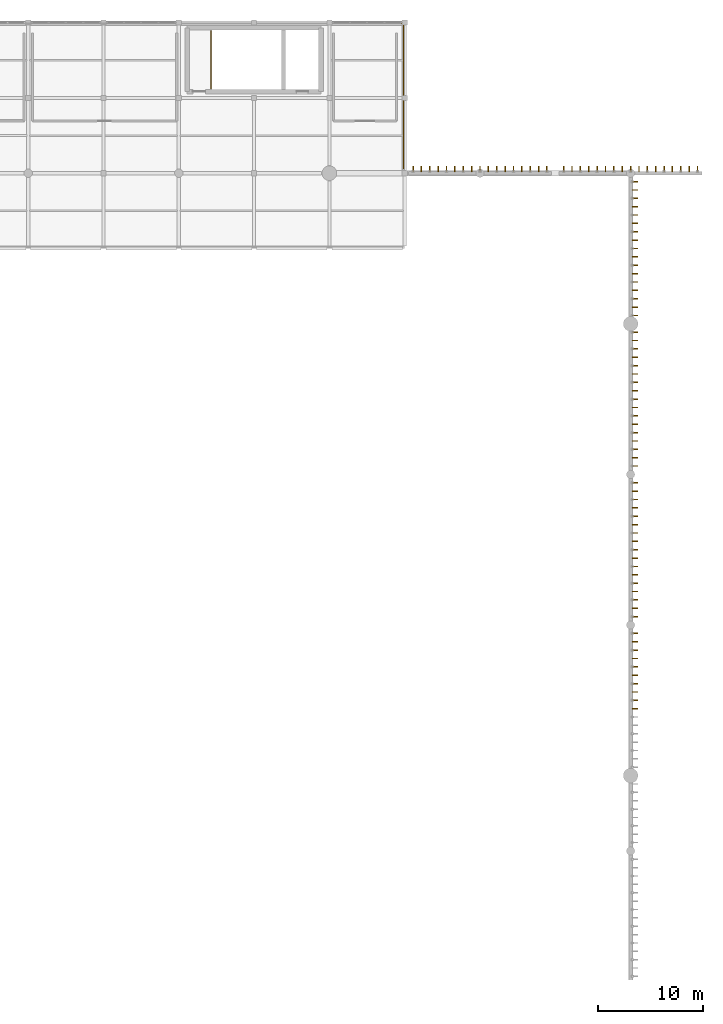
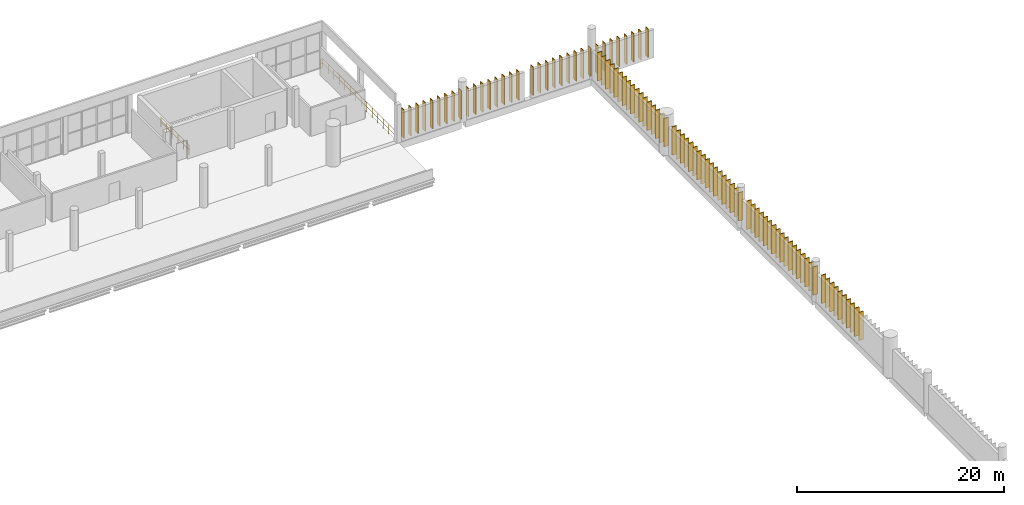
# One storey, part 63 of 64: 95 coverings, 50 shading devices, 2 railings.
"""IFC4 building model written with IfcOpenShell, lengths in metres."""

from ifc_helpers import new_model, si_unit, direction, frame, origin, origin_2d, place, context, subcontext, project, spatial, rectangle, circle, extrude, material, layer, layer_set, type_object, element, save


model = new_model("IFC4")

# Units and contexts
model_context = context("Model", 3, precision=1e-05, world=origin(), true_north=direction((0.0, 1.0)))
body_context = subcontext(model_context, "Body", "Model", "MODEL_VIEW")
ifc_project = project(units=[si_unit("LENGTHUNIT", "METRE"), si_unit("AREAUNIT", "SQUARE_METRE"), si_unit("VOLUMEUNIT", "CUBIC_METRE"), si_unit("PLANEANGLEUNIT", "RADIAN"), si_unit("MASSUNIT", "GRAM", prefix="KILO")], contexts=[model_context])

# Site, building, storey
site_placement = place(None, origin())
site = spatial("IfcSite", under=ifc_project, at=site_placement, CompositionType="ELEMENT")
building_placement = place(site_placement, origin())
building = spatial("IfcBuilding", under=site, at=building_placement, Name="Qandorah Velis Arena", CompositionType="ELEMENT")
storey_placement = place(building_placement, frame((0.0, 0.0, 23.0)))
storey = spatial("IfcBuildingStorey", under=building, at=storey_placement, Name="L05", CompositionType="ELEMENT", Elevation=23.0)

# Coverings
ifc_material_1 = material(Name="Champagne-bronze anodized aluminium 6063-T6", Category="aluminium")
ifc_layer = layer(ifc_material_1, 0.0849609375)
ifc_layer_set = layer_set([ifc_layer], Name="Champagne-bronze anodized aluminium 6063-T6")
covering_type = type_object("IfcCoveringType", Name="ARC-COV-FIN520", PredefinedType="CLADDING", material=ifc_layer_set)
for number, where, z_axis, x_axis, name in (
    (1, (115.60205078125, 64.0, 0.0), (0.0, 0.0, 1.0), (1.0, 0.0, 0.0), "Vertical champagne-bronze solar fin blade DRM-2-05-L05-008"),
    (2, (115.60205078125, 64.800048828125, 0.0), (0.0, 0.0, 1.0), (1.0, 0.0, 0.0), "Vertical champagne-bronze solar fin blade DRM-2-05-L05-009"),
    (3, (115.60205078125, 65.60009765625, 0.0), (0.0, 0.0, 1.0), (1.0, 0.0, 0.0), "Vertical champagne-bronze solar fin blade DRM-2-05-L05-010"),
    (4, (115.60205078125, 66.39990234375, 0.0), (0.0, 0.0, 1.0), (1.0, 0.0, 0.0), "Vertical champagne-bronze solar fin blade DRM-2-05-L05-011"),
    (5, (115.60205078125, 67.199951171875, 0.0), (0.0, 0.0, 1.0), (1.0, 0.0, 0.0), "Vertical champagne-bronze solar fin blade DRM-2-05-L05-012"),
    (6, (115.60205078125, 68.0, 0.0), (0.0, 0.0, 1.0), (1.0, 0.0, 0.0), "Vertical champagne-bronze solar fin blade DRM-2-05-L05-013"),
    (7, (115.60205078125, 68.800048828125, 0.0), (0.0, 0.0, 1.0), (1.0, 0.0, 0.0), "Vertical champagne-bronze solar fin blade DRM-2-05-L05-014"),
    (8, (115.60205078125, 69.60009765625, 0.0), (0.0, 0.0, 1.0), (1.0, 0.0, 0.0), "Vertical champagne-bronze solar fin blade DRM-2-05-L05-015"),
    (9, (115.60205078125, 70.39990234375, 0.0), (0.0, 0.0, 1.0), (1.0, 0.0, 0.0), "Vertical champagne-bronze solar fin blade DRM-2-05-L05-016"),
    (10, (115.60205078125, 71.199951171875, 0.0), (0.0, 0.0, 1.0), (1.0, 0.0, 0.0), "Vertical champagne-bronze solar fin blade DRM-2-05-L05-017"),
    (11, (115.60205078125, 72.800048828125, 0.0), (0.0, 0.0, 1.0), (1.0, 0.0, 0.0), "Vertical champagne-bronze solar fin blade DRM-2-06-L05-001"),
    (12, (115.60205078125, 73.60009765625, 0.0), (0.0, 0.0, 1.0), (1.0, 0.0, 0.0), "Vertical champagne-bronze solar fin blade DRM-2-06-L05-002"),
    (13, (115.60205078125, 74.39990234375, 0.0), (0.0, 0.0, 1.0), (1.0, 0.0, 0.0), "Vertical champagne-bronze solar fin blade DRM-2-06-L05-003"),
    (14, (115.60205078125, 75.199951171875, 0.0), (0.0, 0.0, 1.0), (1.0, 0.0, 0.0), "Vertical champagne-bronze solar fin blade DRM-2-06-L05-004"),
    (15, (115.60205078125, 76.0, 0.0), (0.0, 0.0, 1.0), (1.0, 0.0, 0.0), "Vertical champagne-bronze solar fin blade DRM-2-06-L05-005"),
    (16, (115.60205078125, 76.800048828125, 0.0), (0.0, 0.0, 1.0), (1.0, 0.0, 0.0), "Vertical champagne-bronze solar fin blade DRM-2-06-L05-006"),
    (17, (115.60205078125, 77.60009765625, 0.0), (0.0, 0.0, 1.0), (1.0, 0.0, 0.0), "Vertical champagne-bronze solar fin blade DRM-2-06-L05-007"),
    (18, (115.60205078125, 78.39990234375, 0.0), (0.0, 0.0, 1.0), (1.0, 0.0, 0.0), "Vertical champagne-bronze solar fin blade DRM-2-06-L05-008"),
    (19, (115.60205078125, 79.199951171875, 0.0), (0.0, 0.0, 1.0), (1.0, 0.0, 0.0), "Vertical champagne-bronze solar fin blade DRM-2-06-L05-009"),
    (20, (115.60205078125, 80.0, 0.0), (0.0, 0.0, 1.0), (1.0, 0.0, 0.0), "Vertical champagne-bronze solar fin blade DRM-2-06-L05-010"),
    (21, (115.60205078125, 80.800048828125, 0.0), (0.0, 0.0, 1.0), (1.0, 0.0, 0.0), "Vertical champagne-bronze solar fin blade DRM-2-06-L05-011"),
    (22, (115.60205078125, 81.60009765625, 0.0), (0.0, 0.0, 1.0), (1.0, 0.0, 0.0), "Vertical champagne-bronze solar fin blade DRM-2-06-L05-012"),
    (23, (115.60205078125, 82.39990234375, 0.0), (0.0, 0.0, 1.0), (1.0, 0.0, 0.0), "Vertical champagne-bronze solar fin blade DRM-2-06-L05-013"),
    (24, (115.60205078125, 83.199951171875, 0.0), (0.0, 0.0, 1.0), (1.0, 0.0, 0.0), "Vertical champagne-bronze solar fin blade DRM-2-06-L05-014"),
    (25, (115.60205078125, 84.0, 0.0), (0.0, 0.0, 1.0), (1.0, 0.0, 0.0), "Vertical champagne-bronze solar fin blade DRM-2-06-L05-015"),
    (26, (115.60205078125, 84.800048828125, 0.0), (0.0, 0.0, 1.0), (1.0, 0.0, 0.0), "Vertical champagne-bronze solar fin blade DRM-2-06-L05-016"),
    (27, (115.60205078125, 85.60009765625, 0.0), (0.0, 0.0, 1.0), (1.0, 0.0, 0.0), "Vertical champagne-bronze solar fin blade DRM-2-06-L05-017"),
    (28, (115.60205078125, 87.199951171875, 0.0), (0.0, 0.0, 1.0), (1.0, 0.0, 0.0), "Vertical champagne-bronze solar fin blade DRM-2-07-L05-001"),
    (29, (115.60205078125, 88.0, 0.0), (0.0, 0.0, 1.0), (1.0, 0.0, 0.0), "Vertical champagne-bronze solar fin blade DRM-2-07-L05-002"),
    (30, (115.60205078125, 88.800048828125, 0.0), (0.0, 0.0, 1.0), (1.0, 0.0, 0.0), "Vertical champagne-bronze solar fin blade DRM-2-07-L05-003"),
    (31, (115.60205078125, 89.60009765625, 0.0), (0.0, 0.0, 1.0), (1.0, 0.0, 0.0), "Vertical champagne-bronze solar fin blade DRM-2-07-L05-004"),
    (32, (115.60205078125, 90.39990234375, 0.0), (0.0, 0.0, 1.0), (1.0, 0.0, 0.0), "Vertical champagne-bronze solar fin blade DRM-2-07-L05-005"),
    (33, (115.60205078125, 91.199951171875, 0.0), (0.0, 0.0, 1.0), (1.0, 0.0, 0.0), "Vertical champagne-bronze solar fin blade DRM-2-07-L05-006"),
    (34, (115.60205078125, 92.0, 0.0), (0.0, 0.0, 1.0), (1.0, 0.0, 0.0), "Vertical champagne-bronze solar fin blade DRM-2-07-L05-007"),
    (35, (115.60205078125, 92.800048828125, 0.0), (0.0, 0.0, 1.0), (1.0, 0.0, 0.0), "Vertical champagne-bronze solar fin blade DRM-2-07-L05-008"),
    (36, (115.60205078125, 93.60009765625, 0.0), (0.0, 0.0, 1.0), (1.0, 0.0, 0.0), "Vertical champagne-bronze solar fin blade DRM-2-07-L05-009"),
    (37, (115.60205078125, 94.39990234375, 0.0), (0.0, 0.0, 1.0), (1.0, 0.0, 0.0), "Vertical champagne-bronze solar fin blade DRM-2-07-L05-010"),
    (38, (115.60205078125, 95.199951171875, 0.0), (0.0, 0.0, 1.0), (1.0, 0.0, 0.0), "Vertical champagne-bronze solar fin blade DRM-2-07-L05-011"),
    (39, (115.60205078125, 96.0, 0.0), (0.0, 0.0, 1.0), (1.0, 0.0, 0.0), "Vertical champagne-bronze solar fin blade DRM-2-07-L05-012"),
    (40, (115.60205078125, 96.800048828125, 0.0), (0.0, 0.0, 1.0), (1.0, 0.0, 0.0), "Vertical champagne-bronze solar fin blade DRM-2-07-L05-013"),
    (41, (115.60205078125, 97.60009765625, 0.0), (0.0, 0.0, 1.0), (1.0, 0.0, 0.0), "Vertical champagne-bronze solar fin blade DRM-2-07-L05-014"),
    (42, (115.60205078125, 98.39990234375, 0.0), (0.0, 0.0, 1.0), (1.0, 0.0, 0.0), "Vertical champagne-bronze solar fin blade DRM-2-07-L05-015"),
    (43, (115.60205078125, 99.199951171875, 0.0), (0.0, 0.0, 1.0), (1.0, 0.0, 0.0), "Vertical champagne-bronze solar fin blade DRM-2-07-L05-016"),
    (44, (115.60205078125, 100.0, 0.0), (0.0, 0.0, 1.0), (1.0, 0.0, 0.0), "Vertical champagne-bronze solar fin blade DRM-2-07-L05-017"),
    (45, (115.60205078125, 101.60009765625, 0.0), (0.0, 0.0, 1.0), (1.0, 0.0, 0.0), "Vertical champagne-bronze solar fin blade DRM-2-08-L05-001"),
    (46, (115.60205078125, 102.39990234375, 0.0), (0.0, 0.0, 1.0), (1.0, 0.0, 0.0), "Vertical champagne-bronze solar fin blade DRM-2-08-L05-002"),
    (47, (115.60205078125, 103.199951171875, 0.0), (0.0, 0.0, 1.0), (1.0, 0.0, 0.0), "Vertical champagne-bronze solar fin blade DRM-2-08-L05-003"),
    (48, (115.60205078125, 104.0, 0.0), (0.0, 0.0, 1.0), (1.0, 0.0, 0.0), "Vertical champagne-bronze solar fin blade DRM-2-08-L05-004"),
    (49, (115.60205078125, 104.800048828125, 0.0), (0.0, 0.0, 1.0), (1.0, 0.0, 0.0), "Vertical champagne-bronze solar fin blade DRM-2-08-L05-005"),
    (50, (115.60205078125, 105.60009765625, 0.0), (0.0, 0.0, 1.0), (1.0, 0.0, 0.0), "Vertical champagne-bronze solar fin blade DRM-2-08-L05-006"),
    (51, (115.60205078125, 106.39990234375, 0.0), (0.0, 0.0, 1.0), (1.0, 0.0, 0.0), "Vertical champagne-bronze solar fin blade DRM-2-08-L05-007"),
    (52, (115.60205078125, 107.199951171875, 0.0), (0.0, 0.0, 1.0), (1.0, 0.0, 0.0), "Vertical champagne-bronze solar fin blade DRM-2-08-L05-008"),
    (53, (115.60205078125, 108.0, 0.0), (0.0, 0.0, 1.0), (1.0, 0.0, 0.0), "Vertical champagne-bronze solar fin blade DRM-2-08-L05-009"),
    (54, (115.60205078125, 108.800048828125, 0.0), (0.0, 0.0, 1.0), (1.0, 0.0, 0.0), "Vertical champagne-bronze solar fin blade DRM-2-08-L05-010"),
    (55, (115.60205078125, 109.60009765625, 0.0), (0.0, 0.0, 1.0), (1.0, 0.0, 0.0), "Vertical champagne-bronze solar fin blade DRM-2-08-L05-011"),
    (56, (115.60205078125, 110.39990234375, 0.0), (0.0, 0.0, 1.0), (1.0, 0.0, 0.0), "Vertical champagne-bronze solar fin blade DRM-2-08-L05-012"),
    (57, (115.60205078125, 111.199951171875, 0.0), (0.0, 0.0, 1.0), (1.0, 0.0, 0.0), "Vertical champagne-bronze solar fin blade DRM-2-08-L05-013"),
    (58, (115.60205078125, 112.0, 0.0), (0.0, 0.0, 1.0), (1.0, 0.0, 0.0), "Vertical champagne-bronze solar fin blade DRM-2-08-L05-014"),
    (59, (115.60205078125, 112.800048828125, 0.0), (0.0, 0.0, 1.0), (1.0, 0.0, 0.0), "Vertical champagne-bronze solar fin blade DRM-2-08-L05-015"),
    (60, (115.60205078125, 113.60009765625, 0.0), (0.0, 0.0, 1.0), (1.0, 0.0, 0.0), "Vertical champagne-bronze solar fin blade DRM-2-08-L05-016"),
    (61, (115.60205078125, 114.39990234375, 0.0), (0.0, 0.0, 1.0), (1.0, 0.0, 0.0), "Vertical champagne-bronze solar fin blade DRM-2-08-L05-017"),
):
    element("IfcCovering", number, at=place(storey_placement, frame(where, z_axis=z_axis, x_axis=x_axis)), inside=storey, type_object=covering_type, Name=name, PredefinedType="CLADDING", context=body_context, shape_type="SweptSolid", body=[
        extrude(rectangle(XDim=0.52001953125, YDim=0.0849609375, at=origin_2d()), origin(), (0.0, 0.0, 1.0), 3.340087890625),
    ])
for number, where, z_axis, x_axis, name in (
    (62, (94.39990234375, 115.60205078125, 0.0), (0.0, 0.0, 1.0), (1.0, 0.0, 0.0), "Vertical champagne-bronze solar fin blade DRM-4-01-L05-001"),
    (63, (95.199951171875, 115.60205078125, 0.0), (0.0, 0.0, 1.0), (1.0, 0.0, 0.0), "Vertical champagne-bronze solar fin blade DRM-4-01-L05-002"),
    (64, (96.0, 115.60205078125, 0.0), (0.0, 0.0, 1.0), (1.0, 0.0, 0.0), "Vertical champagne-bronze solar fin blade DRM-4-01-L05-003"),
    (65, (96.800048828125, 115.60205078125, 0.0), (0.0, 0.0, 1.0), (1.0, 0.0, 0.0), "Vertical champagne-bronze solar fin blade DRM-4-01-L05-004"),
    (66, (97.60009765625, 115.60205078125, 0.0), (0.0, 0.0, 1.0), (1.0, 0.0, 0.0), "Vertical champagne-bronze solar fin blade DRM-4-01-L05-005"),
    (67, (98.39990234375, 115.60205078125, 0.0), (0.0, 0.0, 1.0), (1.0, 0.0, 0.0), "Vertical champagne-bronze solar fin blade DRM-4-01-L05-006"),
    (68, (99.199951171875, 115.60205078125, 0.0), (0.0, 0.0, 1.0), (1.0, 0.0, 0.0), "Vertical champagne-bronze solar fin blade DRM-4-01-L05-007"),
    (69, (100.0, 115.60205078125, 0.0), (0.0, 0.0, 1.0), (1.0, 0.0, 0.0), "Vertical champagne-bronze solar fin blade DRM-4-01-L05-008"),
    (70, (100.800048828125, 115.60205078125, 0.0), (0.0, 0.0, 1.0), (1.0, 0.0, 0.0), "Vertical champagne-bronze solar fin blade DRM-4-01-L05-009"),
    (71, (101.60009765625, 115.60205078125, 0.0), (0.0, 0.0, 1.0), (1.0, 0.0, 0.0), "Vertical champagne-bronze solar fin blade DRM-4-01-L05-010"),
    (72, (102.39990234375, 115.60205078125, 0.0), (0.0, 0.0, 1.0), (1.0, 0.0, 0.0), "Vertical champagne-bronze solar fin blade DRM-4-01-L05-011"),
    (73, (103.199951171875, 115.60205078125, 0.0), (0.0, 0.0, 1.0), (1.0, 0.0, 0.0), "Vertical champagne-bronze solar fin blade DRM-4-01-L05-012"),
    (74, (104.0, 115.60205078125, 0.0), (0.0, 0.0, 1.0), (1.0, 0.0, 0.0), "Vertical champagne-bronze solar fin blade DRM-4-01-L05-013"),
    (75, (104.800048828125, 115.60205078125, 0.0), (0.0, 0.0, 1.0), (1.0, 0.0, 0.0), "Vertical champagne-bronze solar fin blade DRM-4-01-L05-014"),
    (76, (105.60009765625, 115.60205078125, 0.0), (0.0, 0.0, 1.0), (1.0, 0.0, 0.0), "Vertical champagne-bronze solar fin blade DRM-4-01-L05-015"),
    (77, (106.39990234375, 115.60205078125, 0.0), (0.0, 0.0, 1.0), (1.0, 0.0, 0.0), "Vertical champagne-bronze solar fin blade DRM-4-01-L05-016"),
    (78, (107.199951171875, 115.60205078125, 0.0), (0.0, 0.0, 1.0), (1.0, 0.0, 0.0), "Vertical champagne-bronze solar fin blade DRM-4-01-L05-017"),
    (79, (108.800048828125, 115.60205078125, 0.0), (0.0, 0.0, 1.0), (1.0, 0.0, 0.0), "Vertical champagne-bronze solar fin blade DRM-4-02-L05-001"),
    (80, (109.60009765625, 115.60205078125, 0.0), (0.0, 0.0, 1.0), (1.0, 0.0, 0.0), "Vertical champagne-bronze solar fin blade DRM-4-02-L05-002"),
    (81, (110.39990234375, 115.60205078125, 0.0), (0.0, 0.0, 1.0), (1.0, 0.0, 0.0), "Vertical champagne-bronze solar fin blade DRM-4-02-L05-003"),
    (82, (111.199951171875, 115.60205078125, 0.0), (0.0, 0.0, 1.0), (1.0, 0.0, 0.0), "Vertical champagne-bronze solar fin blade DRM-4-02-L05-004"),
    (83, (112.0, 115.60205078125, 0.0), (0.0, 0.0, 1.0), (1.0, 0.0, 0.0), "Vertical champagne-bronze solar fin blade DRM-4-02-L05-005"),
    (84, (112.800048828125, 115.60205078125, 0.0), (0.0, 0.0, 1.0), (1.0, 0.0, 0.0), "Vertical champagne-bronze solar fin blade DRM-4-02-L05-006"),
    (85, (113.60009765625, 115.60205078125, 0.0), (0.0, 0.0, 1.0), (1.0, 0.0, 0.0), "Vertical champagne-bronze solar fin blade DRM-4-02-L05-007"),
    (86, (114.39990234375, 115.60205078125, 0.0), (0.0, 0.0, 1.0), (1.0, 0.0, 0.0), "Vertical champagne-bronze solar fin blade DRM-4-02-L05-008"),
    (87, (115.199951171875, 115.60205078125, 0.0), (0.0, 0.0, 1.0), (1.0, 0.0, 0.0), "Vertical champagne-bronze solar fin blade DRM-4-02-L05-009"),
    (88, (116.0, 115.60205078125, 0.0), (0.0, 0.0, 1.0), (1.0, 0.0, 0.0), "Vertical champagne-bronze solar fin blade DRM-4-02-L05-010"),
    (89, (116.800048828125, 115.60205078125, 0.0), (0.0, 0.0, 1.0), (1.0, 0.0, 0.0), "Vertical champagne-bronze solar fin blade DRM-4-02-L05-011"),
    (90, (117.60009765625, 115.60205078125, 0.0), (0.0, 0.0, 1.0), (1.0, 0.0, 0.0), "Vertical champagne-bronze solar fin blade DRM-4-02-L05-012"),
    (91, (118.39990234375, 115.60205078125, 0.0), (0.0, 0.0, 1.0), (1.0, 0.0, 0.0), "Vertical champagne-bronze solar fin blade DRM-4-02-L05-013"),
    (92, (119.199951171875, 115.60205078125, 0.0), (0.0, 0.0, 1.0), (1.0, 0.0, 0.0), "Vertical champagne-bronze solar fin blade DRM-4-02-L05-014"),
    (93, (120.0, 115.60205078125, 0.0), (0.0, 0.0, 1.0), (1.0, 0.0, 0.0), "Vertical champagne-bronze solar fin blade DRM-4-02-L05-015"),
    (94, (120.800048828125, 115.60205078125, 0.0), (0.0, 0.0, 1.0), (1.0, 0.0, 0.0), "Vertical champagne-bronze solar fin blade DRM-4-02-L05-016"),
    (95, (121.60009765625, 115.60205078125, 0.0), (0.0, 0.0, 1.0), (1.0, 0.0, 0.0), "Vertical champagne-bronze solar fin blade DRM-4-02-L05-017"),
):
    element("IfcCovering", number, at=place(storey_placement, frame(where, z_axis=z_axis, x_axis=x_axis)), inside=storey, type_object=covering_type, Name=name, PredefinedType="CLADDING", context=body_context, shape_type="SweptSolid", body=[
        extrude(rectangle(XDim=0.0849609375, YDim=0.52001953125, at=origin_2d()), origin(), (0.0, 0.0, 1.0), 3.340087890625),
    ])

# Railings
ifc_material_2 = material(Name="Stainless steel 316", Category="steel")
railing_type = type_object("IfcRailingType", Name="ARC-RL-GRD1150", PredefinedType="GUARDRAIL", material=ifc_material_2)
railing_1_placement = place(storey_placement, frame((75.070068359375, 123.31005859375, 0.0)))
element("IfcRailing", 96, at=railing_1_placement, inside=storey, type_object=railing_type, Name="Stair ST4 top well guardrail L05", PredefinedType="GUARDRAIL", context=body_context, shape_type="SweptSolid", body=[
    extrude(circle(Radius=0.02392578125, at=origin_2d()), frame((0.0, 0.0, 1.1259765625), z_axis=(0.0, 1.0, 0.0), x_axis=(-1.0, 0.0, 0.0)), (0.0, 0.0, 1.0), 5.47998046875),
    extrude(circle(Radius=0.02392578125, at=origin_2d()), frame((0.0, 0.0, 0.597900390625), z_axis=(0.0, 1.0, 0.0), x_axis=(-1.0, 0.0, 0.0)), (0.0, 0.0, 1.0), 5.47998046875),
    extrude(circle(Radius=0.02099609375, at=origin_2d()), origin(), (0.0, 0.0, 1.0), 1.101806640625),
    extrude(circle(Radius=0.02099609375, at=origin_2d()), frame((0.0, 1.095947265625, 0.0)), (0.0, 0.0, 1.0), 1.101806640625),
    extrude(circle(Radius=0.02099609375, at=origin_2d()), frame((0.0, 2.19189453125, 0.0)), (0.0, 0.0, 1.0), 1.101806640625),
    extrude(circle(Radius=0.02099609375, at=origin_2d()), frame((0.0, 3.2880859375, 0.0)), (0.0, 0.0, 1.0), 1.101806640625),
    extrude(circle(Radius=0.02099609375, at=origin_2d()), frame((0.0, 4.384033203125, 0.0)), (0.0, 0.0, 1.0), 1.101806640625),
    extrude(circle(Radius=0.02099609375, at=origin_2d()), frame((0.0, 5.47998046875, 0.0)), (0.0, 0.0, 1.0), 1.101806640625),
])
railing_2_placement = place(storey_placement, frame((93.300048828125, 129.5, 0.0)))
element("IfcRailing", 97, at=railing_2_placement, inside=storey, type_object=railing_type, Name="Slab edge safety guardrail L05-270", PredefinedType="GUARDRAIL", context=body_context, shape_type="SweptSolid", body=[
    extrude(circle(Radius=0.02392578125, at=origin_2d()), frame((0.0, 0.0, 1.1259765625), z_axis=(1.0, 0.0, 0.0), x_axis=(0.0, 1.0, 0.0)), (0.0, 0.0, 1.0), 0.199951171875),
    extrude(circle(Radius=0.02392578125, at=origin_2d()), frame((0.0, 0.0, 0.597900390625), z_axis=(1.0, 0.0, 0.0), x_axis=(0.0, 1.0, 0.0)), (0.0, 0.0, 1.0), 0.199951171875),
    extrude(circle(Radius=0.02392578125, at=origin_2d()), frame((0.199951171875, 0.0, 1.1259765625), z_axis=(0.0, -1.0, 0.0), x_axis=(1.0, 0.0, 0.0)), (0.0, 0.0, 1.0), 13.85009765625),
    extrude(circle(Radius=0.02392578125, at=origin_2d()), frame((0.199951171875, 0.0, 0.597900390625), z_axis=(0.0, -1.0, 0.0), x_axis=(1.0, 0.0, 0.0)), (0.0, 0.0, 1.0), 13.85009765625),
    extrude(circle(Radius=0.02099609375, at=origin_2d()), origin(), (0.0, 0.0, 1.0), 1.101806640625),
    extrude(circle(Radius=0.02099609375, at=origin_2d()), frame((0.199951171875, 0.0, 0.0)), (0.0, 0.0, 1.0), 1.101806640625),
    extrude(circle(Radius=0.02099609375, at=origin_2d()), frame((0.199951171875, -1.0654296875, 0.0)), (0.0, 0.0, 1.0), 1.101806640625),
    extrude(circle(Radius=0.02099609375, at=origin_2d()), frame((0.199951171875, -2.130859375, 0.0)), (0.0, 0.0, 1.0), 1.101806640625),
    extrude(circle(Radius=0.02099609375, at=origin_2d()), frame((0.199951171875, -3.1962890625, 0.0)), (0.0, 0.0, 1.0), 1.101806640625),
    extrude(circle(Radius=0.02099609375, at=origin_2d()), frame((0.199951171875, -4.261474609375, 0.0)), (0.0, 0.0, 1.0), 1.101806640625),
    extrude(circle(Radius=0.02099609375, at=origin_2d()), frame((0.199951171875, -5.326904296875, 0.0)), (0.0, 0.0, 1.0), 1.101806640625),
    extrude(circle(Radius=0.02099609375, at=origin_2d()), frame((0.199951171875, -6.392333984375, 0.0)), (0.0, 0.0, 1.0), 1.101806640625),
    extrude(circle(Radius=0.02099609375, at=origin_2d()), frame((0.199951171875, -7.457763671875, 0.0)), (0.0, 0.0, 1.0), 1.101806640625),
    extrude(circle(Radius=0.02099609375, at=origin_2d()), frame((0.199951171875, -8.523193359375, 0.0)), (0.0, 0.0, 1.0), 1.101806640625),
    extrude(circle(Radius=0.02099609375, at=origin_2d()), frame((0.199951171875, -9.588623046875, 0.0)), (0.0, 0.0, 1.0), 1.101806640625),
    extrude(circle(Radius=0.02099609375, at=origin_2d()), frame((0.199951171875, -10.65380859375, 0.0)), (0.0, 0.0, 1.0), 1.101806640625),
    extrude(circle(Radius=0.02099609375, at=origin_2d()), frame((0.199951171875, -11.71923828125, 0.0)), (0.0, 0.0, 1.0), 1.101806640625),
    extrude(circle(Radius=0.02099609375, at=origin_2d()), frame((0.199951171875, -12.78466796875, 0.0)), (0.0, 0.0, 1.0), 1.101806640625),
    extrude(circle(Radius=0.02099609375, at=origin_2d()), frame((0.199951171875, -13.85009765625, 0.0)), (0.0, 0.0, 1.0), 1.101806640625),
])

# Shading devices
shading_device_type = type_object("IfcShadingDeviceType", Name="ARC-SHD-FIN520", PredefinedType="USERDEFINED", material=ifc_material_1)
for number, where, z_axis, x_axis, name in (
    (98, (115.60205078125, 64.800048828125, 0.0), (0.0, 0.0, 1.0), (1.0, 0.0, 0.0), "Vertical aerofoil solar fin SF-0040"),
    (99, (115.60205078125, 66.39990234375, 0.0), (0.0, 0.0, 1.0), (1.0, 0.0, 0.0), "Vertical aerofoil solar fin SF-0041"),
    (100, (115.60205078125, 68.0, 0.0), (0.0, 0.0, 1.0), (1.0, 0.0, 0.0), "Vertical aerofoil solar fin SF-0042"),
    (101, (115.60205078125, 69.60009765625, 0.0), (0.0, 0.0, 1.0), (1.0, 0.0, 0.0), "Vertical aerofoil solar fin SF-0043"),
    (102, (115.60205078125, 71.199951171875, 0.0), (0.0, 0.0, 1.0), (1.0, 0.0, 0.0), "Vertical aerofoil solar fin SF-0044"),
    (103, (115.60205078125, 72.800048828125, 0.0), (0.0, 0.0, 1.0), (1.0, 0.0, 0.0), "Vertical aerofoil solar fin SF-0054"),
    (104, (115.60205078125, 74.39990234375, 0.0), (0.0, 0.0, 1.0), (1.0, 0.0, 0.0), "Vertical aerofoil solar fin SF-0055"),
    (105, (115.60205078125, 76.0, 0.0), (0.0, 0.0, 1.0), (1.0, 0.0, 0.0), "Vertical aerofoil solar fin SF-0056"),
    (106, (115.60205078125, 77.60009765625, 0.0), (0.0, 0.0, 1.0), (1.0, 0.0, 0.0), "Vertical aerofoil solar fin SF-0057"),
    (107, (115.60205078125, 79.199951171875, 0.0), (0.0, 0.0, 1.0), (1.0, 0.0, 0.0), "Vertical aerofoil solar fin SF-0058"),
    (108, (115.60205078125, 80.800048828125, 0.0), (0.0, 0.0, 1.0), (1.0, 0.0, 0.0), "Vertical aerofoil solar fin SF-0059"),
    (109, (115.60205078125, 82.39990234375, 0.0), (0.0, 0.0, 1.0), (1.0, 0.0, 0.0), "Vertical aerofoil solar fin SF-0060"),
    (110, (115.60205078125, 84.0, 0.0), (0.0, 0.0, 1.0), (1.0, 0.0, 0.0), "Vertical aerofoil solar fin SF-0061"),
    (111, (115.60205078125, 85.60009765625, 0.0), (0.0, 0.0, 1.0), (1.0, 0.0, 0.0), "Vertical aerofoil solar fin SF-0062"),
    (112, (115.60205078125, 87.199951171875, 0.0), (0.0, 0.0, 1.0), (1.0, 0.0, 0.0), "Vertical aerofoil solar fin SF-0072"),
    (113, (115.60205078125, 88.800048828125, 0.0), (0.0, 0.0, 1.0), (1.0, 0.0, 0.0), "Vertical aerofoil solar fin SF-0073"),
    (114, (115.60205078125, 90.39990234375, 0.0), (0.0, 0.0, 1.0), (1.0, 0.0, 0.0), "Vertical aerofoil solar fin SF-0074"),
    (115, (115.60205078125, 92.0, 0.0), (0.0, 0.0, 1.0), (1.0, 0.0, 0.0), "Vertical aerofoil solar fin SF-0075"),
    (116, (115.60205078125, 93.60009765625, 0.0), (0.0, 0.0, 1.0), (1.0, 0.0, 0.0), "Vertical aerofoil solar fin SF-0076"),
    (117, (115.60205078125, 95.199951171875, 0.0), (0.0, 0.0, 1.0), (1.0, 0.0, 0.0), "Vertical aerofoil solar fin SF-0077"),
    (118, (115.60205078125, 96.800048828125, 0.0), (0.0, 0.0, 1.0), (1.0, 0.0, 0.0), "Vertical aerofoil solar fin SF-0078"),
    (119, (115.60205078125, 98.39990234375, 0.0), (0.0, 0.0, 1.0), (1.0, 0.0, 0.0), "Vertical aerofoil solar fin SF-0079"),
    (120, (115.60205078125, 100.0, 0.0), (0.0, 0.0, 1.0), (1.0, 0.0, 0.0), "Vertical aerofoil solar fin SF-0080"),
    (121, (115.60205078125, 101.60009765625, 0.0), (0.0, 0.0, 1.0), (1.0, 0.0, 0.0), "Vertical aerofoil solar fin SF-0090"),
    (122, (115.60205078125, 103.199951171875, 0.0), (0.0, 0.0, 1.0), (1.0, 0.0, 0.0), "Vertical aerofoil solar fin SF-0091"),
    (123, (115.60205078125, 104.800048828125, 0.0), (0.0, 0.0, 1.0), (1.0, 0.0, 0.0), "Vertical aerofoil solar fin SF-0092"),
    (124, (115.60205078125, 106.39990234375, 0.0), (0.0, 0.0, 1.0), (1.0, 0.0, 0.0), "Vertical aerofoil solar fin SF-0093"),
    (125, (115.60205078125, 108.0, 0.0), (0.0, 0.0, 1.0), (1.0, 0.0, 0.0), "Vertical aerofoil solar fin SF-0094"),
    (126, (115.60205078125, 109.60009765625, 0.0), (0.0, 0.0, 1.0), (1.0, 0.0, 0.0), "Vertical aerofoil solar fin SF-0095"),
    (127, (115.60205078125, 111.199951171875, 0.0), (0.0, 0.0, 1.0), (1.0, 0.0, 0.0), "Vertical aerofoil solar fin SF-0096"),
    (128, (115.60205078125, 112.800048828125, 0.0), (0.0, 0.0, 1.0), (1.0, 0.0, 0.0), "Vertical aerofoil solar fin SF-0097"),
    (129, (115.60205078125, 114.39990234375, 0.0), (0.0, 0.0, 1.0), (1.0, 0.0, 0.0), "Vertical aerofoil solar fin SF-0098"),
):
    element("IfcShadingDevice", number, at=place(storey_placement, frame(where, z_axis=z_axis, x_axis=x_axis)), inside=storey, type_object=shading_device_type, Name=name, ObjectType="SOLAR FIN", PredefinedType="USERDEFINED", context=body_context, shape_type="SweptSolid", body=[
        extrude(rectangle(XDim=0.52001953125, YDim=0.0849609375, at=origin_2d()), origin(), (0.0, 0.0, 1.0), 3.340087890625),
    ])
for number, where, z_axis, x_axis, name in (
    (130, (94.39990234375, 115.60205078125, 0.0), (0.0, 0.0, 1.0), (1.0, 0.0, 0.0), "Vertical aerofoil solar fin SF-0144"),
    (131, (96.0, 115.60205078125, 0.0), (0.0, 0.0, 1.0), (1.0, 0.0, 0.0), "Vertical aerofoil solar fin SF-0145"),
    (132, (97.60009765625, 115.60205078125, 0.0), (0.0, 0.0, 1.0), (1.0, 0.0, 0.0), "Vertical aerofoil solar fin SF-0146"),
    (133, (99.199951171875, 115.60205078125, 0.0), (0.0, 0.0, 1.0), (1.0, 0.0, 0.0), "Vertical aerofoil solar fin SF-0147"),
    (134, (100.800048828125, 115.60205078125, 0.0), (0.0, 0.0, 1.0), (1.0, 0.0, 0.0), "Vertical aerofoil solar fin SF-0148"),
    (135, (102.39990234375, 115.60205078125, 0.0), (0.0, 0.0, 1.0), (1.0, 0.0, 0.0), "Vertical aerofoil solar fin SF-0149"),
    (136, (104.0, 115.60205078125, 0.0), (0.0, 0.0, 1.0), (1.0, 0.0, 0.0), "Vertical aerofoil solar fin SF-0150"),
    (137, (105.60009765625, 115.60205078125, 0.0), (0.0, 0.0, 1.0), (1.0, 0.0, 0.0), "Vertical aerofoil solar fin SF-0151"),
    (138, (107.199951171875, 115.60205078125, 0.0), (0.0, 0.0, 1.0), (1.0, 0.0, 0.0), "Vertical aerofoil solar fin SF-0152"),
    (139, (108.800048828125, 115.60205078125, 0.0), (0.0, 0.0, 1.0), (1.0, 0.0, 0.0), "Vertical aerofoil solar fin SF-0162"),
    (140, (110.39990234375, 115.60205078125, 0.0), (0.0, 0.0, 1.0), (1.0, 0.0, 0.0), "Vertical aerofoil solar fin SF-0163"),
    (141, (112.0, 115.60205078125, 0.0), (0.0, 0.0, 1.0), (1.0, 0.0, 0.0), "Vertical aerofoil solar fin SF-0164"),
    (142, (113.60009765625, 115.60205078125, 0.0), (0.0, 0.0, 1.0), (1.0, 0.0, 0.0), "Vertical aerofoil solar fin SF-0165"),
    (143, (115.199951171875, 115.60205078125, 0.0), (0.0, 0.0, 1.0), (1.0, 0.0, 0.0), "Vertical aerofoil solar fin SF-0166"),
    (144, (116.800048828125, 115.60205078125, 0.0), (0.0, 0.0, 1.0), (1.0, 0.0, 0.0), "Vertical aerofoil solar fin SF-0167"),
    (145, (118.39990234375, 115.60205078125, 0.0), (0.0, 0.0, 1.0), (1.0, 0.0, 0.0), "Vertical aerofoil solar fin SF-0168"),
    (146, (120.0, 115.60205078125, 0.0), (0.0, 0.0, 1.0), (1.0, 0.0, 0.0), "Vertical aerofoil solar fin SF-0169"),
    (147, (121.60009765625, 115.60205078125, 0.0), (0.0, 0.0, 1.0), (1.0, 0.0, 0.0), "Vertical aerofoil solar fin SF-0170"),
):
    element("IfcShadingDevice", number, at=place(storey_placement, frame(where, z_axis=z_axis, x_axis=x_axis)), inside=storey, type_object=shading_device_type, Name=name, ObjectType="SOLAR FIN", PredefinedType="USERDEFINED", context=body_context, shape_type="SweptSolid", body=[
        extrude(rectangle(XDim=0.0849609375, YDim=0.52001953125, at=origin_2d()), origin(), (0.0, 0.0, 1.0), 3.340087890625),
    ])

save(model, "model.ifc")
